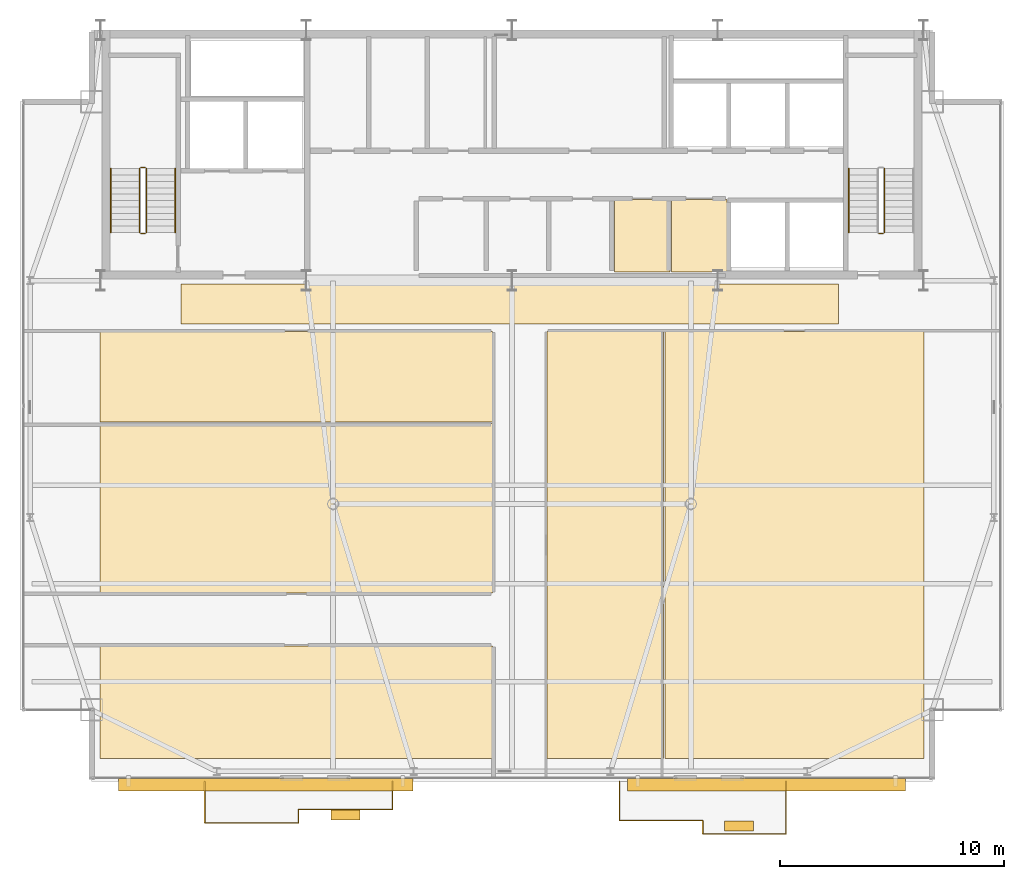
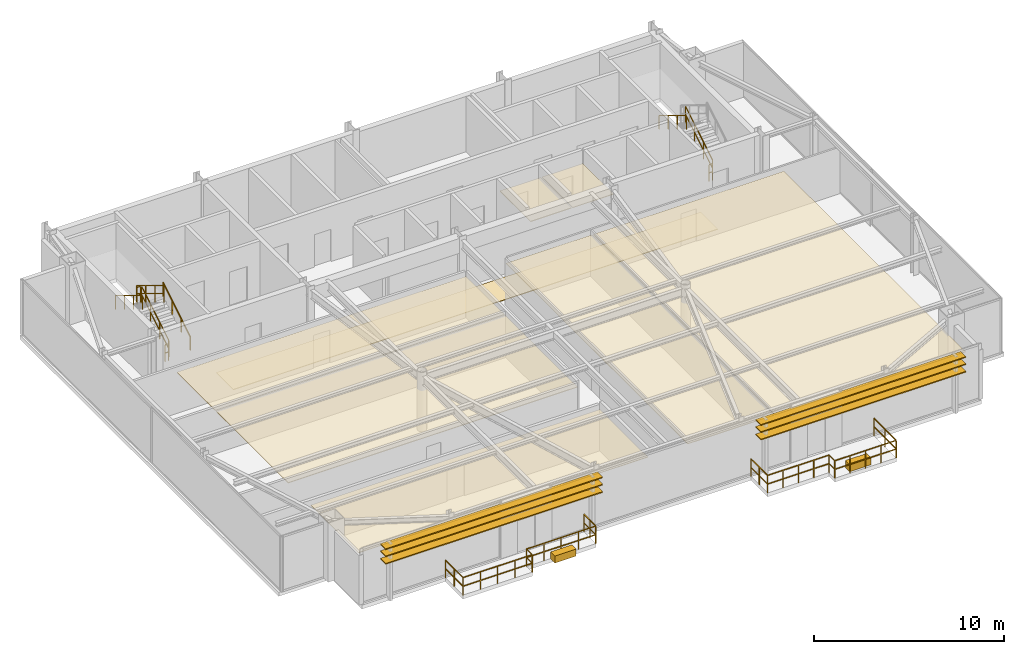
# One storey, part 22 of 23: 19 railings, 10 coverings, 6 shading devices.
"""IFC4 building model written with IfcOpenShell, lengths in metres."""

from ifc_helpers import new_model, si_unit, direction, frame, origin, origin_2d, place, context, subcontext, project, spatial, polyline, rectangle, outline, extrude, source, transform, mapped, material, layer, layer_set, type_object, type_shapes, element, save


model = new_model("IFC4")

# Units and contexts
model_context = context("Model", 3, precision=1e-05, world=origin(), true_north=direction((0.0, 1.0)))
body_context = subcontext(model_context, "Body", "Model", "MODEL_VIEW")
ifc_project = project(units=[si_unit("LENGTHUNIT", "METRE"), si_unit("AREAUNIT", "SQUARE_METRE"), si_unit("VOLUMEUNIT", "CUBIC_METRE"), si_unit("PLANEANGLEUNIT", "RADIAN"), si_unit("MASSUNIT", "GRAM", prefix="KILO")], contexts=[model_context])

# Site, building, storey
site_placement = place(None, origin())
site = spatial("IfcSite", under=ifc_project, at=site_placement, CompositionType="ELEMENT")
building_placement = place(site_placement, origin())
building = spatial("IfcBuilding", under=site, at=building_placement, Name="Varnel Quay Broadcast Tower", CompositionType="ELEMENT")
storey_placement = place(building_placement, frame((0.0, 0.0, 266.0)))
storey = spatial("IfcBuildingStorey", under=building, at=storey_placement, Name="L66", CompositionType="ELEMENT", Elevation=266.0)

# Coverings
ifc_material_1 = material(Name="Micro-Perforated Acoustic Ceiling Tile")
ifc_layer_1 = layer(ifc_material_1, 0.0400390625, Name="Micro-Perforated Acoustic Ceiling Tile")
ifc_layer_set_1 = layer_set([ifc_layer_1], Name="Micro-Perforated Acoustic Ceiling Tile")
covering_type_1 = type_object("IfcCoveringType", Name="Cov_AcousticCeiling", PredefinedType="CEILING", material=ifc_layer_set_1)
covering_1_placement = place(storey_placement, frame((0.0, 0.0, 2.580078125)))
element("IfcCovering", 1, at=covering_1_placement, inside=storey, type_object=covering_type_1, Name="L66 Cleaners' & Linen Store Acoustic Ceiling", PredefinedType="CEILING", context=body_context, shape_type="SweptSolid", body=[
    extrude(outline(polyline([(38.5849609375, 35.985107421875), (41.06494140625, 35.985107421875), (41.06494140625, 39.215087890625), (38.5849609375, 39.215087890625), (38.5849609375, 35.985107421875)])), origin(), (0.0, 0.0, 1.0), 0.0400390625),
])
covering_2_placement = place(storey_placement, frame((0.0, 0.0, 2.580078125)))
element("IfcCovering", 2, at=covering_2_placement, inside=storey, type_object=covering_type_1, Name="L66 Telecom IDF Closet Acoustic Ceiling", PredefinedType="CEILING", context=body_context, shape_type="SweptSolid", body=[
    extrude(outline(polyline([(41.135009765625, 35.985107421875), (43.614990234375, 35.985107421875), (43.614990234375, 39.215087890625), (41.135009765625, 39.215087890625), (41.135009765625, 35.985107421875)])), origin(), (0.0, 0.0, 1.0), 0.0400390625),
])
covering_3_placement = place(storey_placement, frame((0.0, 0.0, 2.580078125)))
element("IfcCovering", 3, at=covering_3_placement, inside=storey, type_object=covering_type_1, Name="L66 Editorial Boardroom 1 Acoustic Ceiling", PredefinedType="CEILING", context=body_context, shape_type="SweptSolid", body=[
    extrude(outline(polyline([(15.5849609375, 14.22509765625), (33.135009765625, 14.22509765625), (33.135009765625, 19.2548828125), (15.5849609375, 19.2548828125), (15.5849609375, 14.22509765625)])), origin(), (0.0, 0.0, 1.0), 0.0400390625),
])
covering_4_placement = place(storey_placement, frame((0.0, 0.0, 2.580078125)))
element("IfcCovering", 4, at=covering_4_placement, inside=storey, type_object=covering_type_1, Name="L66 Break Kitchen 2 Acoustic Ceiling", PredefinedType="CEILING", context=body_context, shape_type="SweptSolid", body=[
    extrude(outline(polyline([(15.5849609375, 21.625), (33.135009765625, 21.625), (33.135009765625, 29.215087890625), (15.5849609375, 29.215087890625), (15.5849609375, 21.625)])), origin(), (0.0, 0.0, 1.0), 0.0400390625),
])
covering_5_placement = place(storey_placement, frame((0.0, 0.0, 2.580078125)))
element("IfcCovering", 5, at=covering_5_placement, inside=storey, type_object=covering_type_1, Name="L66 Press Green Lounge 3 Acoustic Ceiling", PredefinedType="CEILING", context=body_context, shape_type="SweptSolid", body=[
    extrude(outline(polyline([(15.5849609375, 29.284912109375), (33.135009765625, 29.284912109375), (33.135009765625, 33.31494140625), (15.5849609375, 33.31494140625), (15.5849609375, 29.284912109375)])), origin(), (0.0, 0.0, 1.0), 0.0400390625),
])
covering_6_placement = place(storey_placement, frame((0.0, 0.0, 2.580078125)))
element("IfcCovering", 6, at=covering_6_placement, inside=storey, type_object=covering_type_1, Name="L66 Camera Locker Store 4 Acoustic Ceiling", PredefinedType="CEILING", context=body_context, shape_type="SweptSolid", body=[
    extrude(outline(polyline([(35.554931640625, 14.22509765625), (40.77490234375, 14.22509765625), (40.77490234375, 33.31494140625), (35.554931640625, 33.31494140625), (35.554931640625, 14.22509765625)])), origin(), (0.0, 0.0, 1.0), 0.0400390625),
])
covering_7_placement = place(storey_placement, frame((0.0, 0.0, 2.580078125)))
element("IfcCovering", 7, at=covering_7_placement, inside=storey, type_object=covering_type_1, Name="L66 Broadcast Newsroom 5 Acoustic Ceiling", PredefinedType="CEILING", context=body_context, shape_type="SweptSolid", body=[
    extrude(outline(polyline([(40.844970703125, 14.22509765625), (52.4150390625, 14.22509765625), (52.4150390625, 33.31494140625), (40.844970703125, 33.31494140625), (40.844970703125, 14.22509765625)])), origin(), (0.0, 0.0, 1.0), 0.0400390625),
])
ifc_material_2 = material(Name="Polished Terrazzo & Broadcast Raised Flooring")
ifc_layer_2 = layer(ifc_material_2, 0.0400390625, Name="Polished Terrazzo & Broadcast Raised Flooring")
ifc_layer_set_2 = layer_set([ifc_layer_2], Name="Polished Terrazzo & Broadcast Raised Flooring")
covering_type_2 = type_object("IfcCoveringType", Name="Cov_TerrazzoFloor", PredefinedType="FLOORING", material=ifc_layer_set_2)
covering_8_placement = place(storey_placement, origin())
element("IfcCovering", 8, at=covering_8_placement, inside=storey, type_object=covering_type_2, Name="L66 Corridor Terrazzo Flooring", PredefinedType="FLOORING", context=body_context, shape_type="SweptSolid", body=[
    extrude(outline(polyline([(19.199951171875, 33.64990234375), (48.60009765625, 33.64990234375), (48.60009765625, 35.449951171875), (19.199951171875, 35.449951171875), (19.199951171875, 33.64990234375)])), origin(), (0.0, 0.0, 1.0), 0.0400390625),
])

# Railings
ifc_material_3 = material(Name="Anodised Bronze Aluminium 6063-T6", Category="aluminium")
railing_type_1 = type_object("IfcRailingType", Name="Rail_Balustrade1150", PredefinedType="BALUSTRADE", material=ifc_material_3)
railing_1_placement = place(storey_placement, frame((20.260009765625, 11.347900390625, 0.0)))
element("IfcRailing", 9, at=railing_1_placement, inside=storey, type_object=railing_type_1, Name="L66 Terrace 1 Guard 1", PredefinedType="BALUSTRADE", context=body_context, shape_type="SweptSolid", body=[
    extrude(rectangle(XDim=0.048095703125, YDim=0.048095703125, at=origin_2d()), frame((0.0, 0.0, 1.1259765625), z_axis=(1.0, 0.0, 0.0), x_axis=(0.0, 1.0, 0.0)), (0.0, 0.0, 1.0), 4.199951171875),
    extrude(rectangle(XDim=0.048095703125, YDim=0.048095703125, at=origin_2d()), frame((0.0, 0.0, 0.574951171875), z_axis=(1.0, 0.0, 0.0), x_axis=(0.0, 1.0, 0.0)), (0.0, 0.0, 1.0), 4.199951171875),
    extrude(rectangle(XDim=0.0419921875, YDim=0.0419921875, at=origin_2d()), origin(), (0.0, 0.0, 1.0), 1.101806640625),
    extrude(rectangle(XDim=0.0419921875, YDim=0.0419921875, at=origin_2d()), frame((1.050048828125, 0.0, 0.0)), (0.0, 0.0, 1.0), 1.101806640625),
    extrude(rectangle(XDim=0.0419921875, YDim=0.0419921875, at=origin_2d()), frame((2.10009765625, 0.0, 0.0)), (0.0, 0.0, 1.0), 1.101806640625),
    extrude(rectangle(XDim=0.0419921875, YDim=0.0419921875, at=origin_2d()), frame((3.14990234375, 0.0, 0.0)), (0.0, 0.0, 1.0), 1.101806640625),
    extrude(rectangle(XDim=0.0419921875, YDim=0.0419921875, at=origin_2d()), frame((4.199951171875, 0.0, 0.0)), (0.0, 0.0, 1.0), 1.101806640625),
])
railing_2_placement = place(storey_placement, frame((24.4599609375, 11.347900390625, 0.0)))
element("IfcRailing", 10, at=railing_2_placement, inside=storey, type_object=railing_type_1, Name="L66 Terrace 1 Guard 2", PredefinedType="BALUSTRADE", context=body_context, shape_type="SweptSolid", body=[
    extrude(rectangle(XDim=0.048095703125, YDim=0.048095703125, at=origin_2d()), frame((0.0, 0.0, 1.1259765625), z_axis=(0.0, 1.0, 0.0), x_axis=(-1.0, 0.0, 0.0)), (0.0, 0.0, 1.0), 0.60009765625),
    extrude(rectangle(XDim=0.048095703125, YDim=0.048095703125, at=origin_2d()), frame((0.0, 0.0, 0.574951171875), z_axis=(0.0, 1.0, 0.0), x_axis=(-1.0, 0.0, 0.0)), (0.0, 0.0, 1.0), 0.60009765625),
    extrude(rectangle(XDim=0.0419921875, YDim=0.0419921875, at=origin_2d()), origin(), (0.0, 0.0, 1.0), 1.101806640625),
    extrude(rectangle(XDim=0.0419921875, YDim=0.0419921875, at=origin_2d()), frame((0.0, 0.60009765625, 0.0)), (0.0, 0.0, 1.0), 1.101806640625),
])
railing_3_placement = place(storey_placement, frame((24.4599609375, 11.947998046875, 0.0)))
element("IfcRailing", 11, at=railing_3_placement, inside=storey, type_object=railing_type_1, Name="L66 Terrace 1 Guard 3", PredefinedType="BALUSTRADE", context=body_context, shape_type="SweptSolid", body=[
    extrude(rectangle(XDim=0.048095703125, YDim=0.048095703125, at=origin_2d()), frame((0.0, 0.0, 1.1259765625), z_axis=(1.0, 0.0, 0.0), x_axis=(0.0, 1.0, 0.0)), (0.0, 0.0, 1.0), 4.199951171875),
    extrude(rectangle(XDim=0.048095703125, YDim=0.048095703125, at=origin_2d()), frame((0.0, 0.0, 0.574951171875), z_axis=(1.0, 0.0, 0.0), x_axis=(0.0, 1.0, 0.0)), (0.0, 0.0, 1.0), 4.199951171875),
    extrude(rectangle(XDim=0.0419921875, YDim=0.0419921875, at=origin_2d()), origin(), (0.0, 0.0, 1.0), 1.101806640625),
    extrude(rectangle(XDim=0.0419921875, YDim=0.0419921875, at=origin_2d()), frame((1.050048828125, 0.0, 0.0)), (0.0, 0.0, 1.0), 1.101806640625),
    extrude(rectangle(XDim=0.0419921875, YDim=0.0419921875, at=origin_2d()), frame((2.10009765625, 0.0, 0.0)), (0.0, 0.0, 1.0), 1.101806640625),
    extrude(rectangle(XDim=0.0419921875, YDim=0.0419921875, at=origin_2d()), frame((3.14990234375, 0.0, 0.0)), (0.0, 0.0, 1.0), 1.101806640625),
    extrude(rectangle(XDim=0.0419921875, YDim=0.0419921875, at=origin_2d()), frame((4.199951171875, 0.0, 0.0)), (0.0, 0.0, 1.0), 1.101806640625),
])
railing_4_placement = place(storey_placement, frame((28.659912109375, 11.947998046875, 0.0)))
element("IfcRailing", 12, at=railing_4_placement, inside=storey, type_object=railing_type_1, Name="L66 Terrace 1 Guard 4", PredefinedType="BALUSTRADE", context=body_context, shape_type="SweptSolid", body=[
    extrude(rectangle(XDim=0.048095703125, YDim=0.048095703125, at=origin_2d()), frame((0.0, 0.0, 1.1259765625), z_axis=(0.0, 1.0, 0.0), x_axis=(-1.0, 0.0, 0.0)), (0.0, 0.0, 1.0), 1.251953125),
    extrude(rectangle(XDim=0.048095703125, YDim=0.048095703125, at=origin_2d()), frame((0.0, 0.0, 0.574951171875), z_axis=(0.0, 1.0, 0.0), x_axis=(-1.0, 0.0, 0.0)), (0.0, 0.0, 1.0), 1.251953125),
    extrude(rectangle(XDim=0.0419921875, YDim=0.0419921875, at=origin_2d()), origin(), (0.0, 0.0, 1.0), 1.101806640625),
    extrude(rectangle(XDim=0.0419921875, YDim=0.0419921875, at=origin_2d()), frame((0.0, 0.6259765625, 0.0)), (0.0, 0.0, 1.0), 1.101806640625),
    extrude(rectangle(XDim=0.0419921875, YDim=0.0419921875, at=origin_2d()), frame((0.0, 1.251953125, 0.0)), (0.0, 0.0, 1.0), 1.101806640625),
])
railing_5_placement = place(storey_placement, frame((20.260009765625, 13.199951171875, 0.0)))
element("IfcRailing", 13, at=railing_5_placement, inside=storey, type_object=railing_type_1, Name="L66 Terrace 1 Guard 6", PredefinedType="BALUSTRADE", context=body_context, shape_type="SweptSolid", body=[
    extrude(rectangle(XDim=0.048095703125, YDim=0.048095703125, at=origin_2d()), frame((0.0, 0.0, 1.1259765625), z_axis=(0.0, -1.0, 0.0), x_axis=(1.0, 0.0, 0.0)), (0.0, 0.0, 1.0), 1.85205078125),
    extrude(rectangle(XDim=0.048095703125, YDim=0.048095703125, at=origin_2d()), frame((0.0, 0.0, 0.574951171875), z_axis=(0.0, -1.0, 0.0), x_axis=(1.0, 0.0, 0.0)), (0.0, 0.0, 1.0), 1.85205078125),
    extrude(rectangle(XDim=0.0419921875, YDim=0.0419921875, at=origin_2d()), origin(), (0.0, 0.0, 1.0), 1.101806640625),
    extrude(rectangle(XDim=0.0419921875, YDim=0.0419921875, at=origin_2d()), frame((0.0, -0.926025390625, 0.0)), (0.0, 0.0, 1.0), 1.101806640625),
    extrude(rectangle(XDim=0.0419921875, YDim=0.0419921875, at=origin_2d()), frame((0.0, -1.85205078125, 0.0)), (0.0, 0.0, 1.0), 1.101806640625),
])
railing_6_placement = place(storey_placement, frame((38.800048828125, 11.451904296875, 0.0)))
element("IfcRailing", 14, at=railing_6_placement, inside=storey, type_object=railing_type_1, Name="L66 Terrace 2 Guard 1", PredefinedType="BALUSTRADE", context=body_context, shape_type="SweptSolid", body=[
    extrude(rectangle(XDim=0.048095703125, YDim=0.048095703125, at=origin_2d()), frame((0.0, 0.0, 1.1259765625), z_axis=(1.0, 0.0, 0.0), x_axis=(0.0, 1.0, 0.0)), (0.0, 0.0, 1.0), 3.72998046875),
    extrude(rectangle(XDim=0.048095703125, YDim=0.048095703125, at=origin_2d()), frame((0.0, 0.0, 0.574951171875), z_axis=(1.0, 0.0, 0.0), x_axis=(0.0, 1.0, 0.0)), (0.0, 0.0, 1.0), 3.72998046875),
    extrude(rectangle(XDim=0.0419921875, YDim=0.0419921875, at=origin_2d()), origin(), (0.0, 0.0, 1.0), 1.101806640625),
    extrude(rectangle(XDim=0.0419921875, YDim=0.0419921875, at=origin_2d()), frame((0.9326171875, 0.0, 0.0)), (0.0, 0.0, 1.0), 1.101806640625),
    extrude(rectangle(XDim=0.0419921875, YDim=0.0419921875, at=origin_2d()), frame((1.864990234375, 0.0, 0.0)), (0.0, 0.0, 1.0), 1.101806640625),
    extrude(rectangle(XDim=0.0419921875, YDim=0.0419921875, at=origin_2d()), frame((2.79736328125, 0.0, 0.0)), (0.0, 0.0, 1.0), 1.101806640625),
    extrude(rectangle(XDim=0.0419921875, YDim=0.0419921875, at=origin_2d()), frame((3.72998046875, 0.0, 0.0)), (0.0, 0.0, 1.0), 1.101806640625),
])
railing_7_placement = place(storey_placement, frame((42.530029296875, 11.451904296875, 0.0)))
element("IfcRailing", 15, at=railing_7_placement, inside=storey, type_object=railing_type_1, Name="L66 Terrace 2 Guard 2", PredefinedType="BALUSTRADE", context=body_context, shape_type="SweptSolid", body=[
    extrude(rectangle(XDim=0.048095703125, YDim=0.048095703125, at=origin_2d()), frame((0.0, 0.0, 1.1259765625), z_axis=(0.0, -1.0, 0.0), x_axis=(1.0, 0.0, 0.0)), (0.0, 0.0, 1.0), 0.599853515625),
    extrude(rectangle(XDim=0.048095703125, YDim=0.048095703125, at=origin_2d()), frame((0.0, 0.0, 0.574951171875), z_axis=(0.0, -1.0, 0.0), x_axis=(1.0, 0.0, 0.0)), (0.0, 0.0, 1.0), 0.599853515625),
    extrude(rectangle(XDim=0.0419921875, YDim=0.0419921875, at=origin_2d()), origin(), (0.0, 0.0, 1.0), 1.101806640625),
    extrude(rectangle(XDim=0.0419921875, YDim=0.0419921875, at=origin_2d()), frame((0.0, -0.599853515625, 0.0)), (0.0, 0.0, 1.0), 1.101806640625),
])
railing_8_placement = place(storey_placement, frame((42.530029296875, 10.85205078125, 0.0)))
element("IfcRailing", 16, at=railing_8_placement, inside=storey, type_object=railing_type_1, Name="L66 Terrace 2 Guard 3", PredefinedType="BALUSTRADE", context=body_context, shape_type="SweptSolid", body=[
    extrude(rectangle(XDim=0.048095703125, YDim=0.048095703125, at=origin_2d()), frame((0.0, 0.0, 1.1259765625), z_axis=(1.0, 0.0, 0.0), x_axis=(0.0, 1.0, 0.0)), (0.0, 0.0, 1.0), 3.72998046875),
    extrude(rectangle(XDim=0.048095703125, YDim=0.048095703125, at=origin_2d()), frame((0.0, 0.0, 0.574951171875), z_axis=(1.0, 0.0, 0.0), x_axis=(0.0, 1.0, 0.0)), (0.0, 0.0, 1.0), 3.72998046875),
    extrude(rectangle(XDim=0.0419921875, YDim=0.0419921875, at=origin_2d()), origin(), (0.0, 0.0, 1.0), 1.101806640625),
    extrude(rectangle(XDim=0.0419921875, YDim=0.0419921875, at=origin_2d()), frame((0.9326171875, 0.0, 0.0)), (0.0, 0.0, 1.0), 1.101806640625),
    extrude(rectangle(XDim=0.0419921875, YDim=0.0419921875, at=origin_2d()), frame((1.864990234375, 0.0, 0.0)), (0.0, 0.0, 1.0), 1.101806640625),
    extrude(rectangle(XDim=0.0419921875, YDim=0.0419921875, at=origin_2d()), frame((2.79736328125, 0.0, 0.0)), (0.0, 0.0, 1.0), 1.101806640625),
    extrude(rectangle(XDim=0.0419921875, YDim=0.0419921875, at=origin_2d()), frame((3.72998046875, 0.0, 0.0)), (0.0, 0.0, 1.0), 1.101806640625),
])
railing_9_placement = place(storey_placement, frame((46.260009765625, 10.85205078125, 0.0)))
element("IfcRailing", 17, at=railing_9_placement, inside=storey, type_object=railing_type_1, Name="L66 Terrace 2 Guard 4", PredefinedType="BALUSTRADE", context=body_context, shape_type="SweptSolid", body=[
    extrude(rectangle(XDim=0.048095703125, YDim=0.048095703125, at=origin_2d()), frame((0.0, 0.0, 1.1259765625), z_axis=(0.0, 1.0, 0.0), x_axis=(-1.0, 0.0, 0.0)), (0.0, 0.0, 1.0), 2.347900390625),
    extrude(rectangle(XDim=0.048095703125, YDim=0.048095703125, at=origin_2d()), frame((0.0, 0.0, 0.574951171875), z_axis=(0.0, 1.0, 0.0), x_axis=(-1.0, 0.0, 0.0)), (0.0, 0.0, 1.0), 2.347900390625),
    extrude(rectangle(XDim=0.0419921875, YDim=0.0419921875, at=origin_2d()), origin(), (0.0, 0.0, 1.0), 1.101806640625),
    extrude(rectangle(XDim=0.0419921875, YDim=0.0419921875, at=origin_2d()), frame((0.0, 1.173828125, 0.0)), (0.0, 0.0, 1.0), 1.101806640625),
    extrude(rectangle(XDim=0.0419921875, YDim=0.0419921875, at=origin_2d()), frame((0.0, 2.347900390625, 0.0)), (0.0, 0.0, 1.0), 1.101806640625),
])
railing_10_placement = place(storey_placement, frame((38.800048828125, 13.199951171875, 0.0)))
element("IfcRailing", 18, at=railing_10_placement, inside=storey, type_object=railing_type_1, Name="L66 Terrace 2 Guard 6", PredefinedType="BALUSTRADE", context=body_context, shape_type="SweptSolid", body=[
    extrude(rectangle(XDim=0.048095703125, YDim=0.048095703125, at=origin_2d()), frame((0.0, 0.0, 1.1259765625), z_axis=(0.0, -1.0, 0.0), x_axis=(1.0, 0.0, 0.0)), (0.0, 0.0, 1.0), 1.748046875),
    extrude(rectangle(XDim=0.048095703125, YDim=0.048095703125, at=origin_2d()), frame((0.0, 0.0, 0.574951171875), z_axis=(0.0, -1.0, 0.0), x_axis=(1.0, 0.0, 0.0)), (0.0, 0.0, 1.0), 1.748046875),
    extrude(rectangle(XDim=0.0419921875, YDim=0.0419921875, at=origin_2d()), origin(), (0.0, 0.0, 1.0), 1.101806640625),
    extrude(rectangle(XDim=0.0419921875, YDim=0.0419921875, at=origin_2d()), frame((0.0, -0.8740234375, 0.0)), (0.0, 0.0, 1.0), 1.101806640625),
    extrude(rectangle(XDim=0.0419921875, YDim=0.0419921875, at=origin_2d()), frame((0.0, -1.748046875, 0.0)), (0.0, 0.0, 1.0), 1.101806640625),
])
ifc_material_4 = material(Name="Painted Steel Guard and Handrail CSA G40.21 350W", Category="steel")
railing_type_2 = type_object("IfcRailingType", Name="Rail_StairGuard1100", PredefinedType="GUARDRAIL", material=ifc_material_4)
railing_11_placement = place(storey_placement, frame((17.64990234375, 37.75, 0.172607421875)))
element("IfcRailing", 19, at=railing_11_placement, inside=storey, type_object=railing_type_2, Name="L66 ST-01 stair guard 1", PredefinedType="GUARDRAIL", context=body_context, shape_type="SweptSolid", body=[
    extrude(rectangle(XDim=0.048095703125, YDim=0.048095703125, at=origin_2d()), frame((0.0, 0.0, 1.076171875), z_axis=(0.0, 0.855202751398, 0.518293598264), x_axis=(-1.0, 0.0, 0.0)), (0.0, 0.0, 1.0), 3.332763671875),
    extrude(rectangle(XDim=0.048095703125, YDim=0.048095703125, at=origin_2d()), frame((0.0, 0.0, 0.550048828125), z_axis=(0.0, 0.855202751398, 0.518293598264), x_axis=(-1.0, 0.0, 0.0)), (0.0, 0.0, 1.0), 3.332763671875),
    extrude(rectangle(XDim=0.0419921875, YDim=0.0419921875, at=origin_2d()), origin(), (0.0, 0.0, 1.0), 1.052001953125),
    extrude(rectangle(XDim=0.0419921875, YDim=0.0419921875, at=origin_2d()), frame((0.0, 0.949951171875, 0.57568359375)), (0.0, 0.0, 1.0), 1.052001953125),
    extrude(rectangle(XDim=0.0419921875, YDim=0.0419921875, at=origin_2d()), frame((0.0, 1.900146484375, 1.151611328125)), (0.0, 0.0, 1.0), 1.052001953125),
    extrude(rectangle(XDim=0.0419921875, YDim=0.0419921875, at=origin_2d()), frame((0.0, 2.85009765625, 1.727294921875)), (0.0, 0.0, 1.0), 1.052001953125),
])
railing_12_placement = place(storey_placement, frame((17.60009765625, 40.64990234375, 1.89990234375)))
element("IfcRailing", 20, at=railing_12_placement, inside=storey, type_object=railing_type_2, Name="L66 ST-01 stair guard 2", PredefinedType="GUARDRAIL", context=body_context, shape_type="SweptSolid", body=[
    extrude(rectangle(XDim=0.048095703125, YDim=0.048095703125, at=origin_2d()), frame((0.0, 0.0, 1.076171875), z_axis=(-1.0, 0.0, 0.0), x_axis=(0.0, -1.0, 0.0)), (0.0, 0.0, 1.0), 0.2001953125),
    extrude(rectangle(XDim=0.048095703125, YDim=0.048095703125, at=origin_2d()), frame((0.0, 0.0, 0.550048828125), z_axis=(-1.0, 0.0, 0.0), x_axis=(0.0, -1.0, 0.0)), (0.0, 0.0, 1.0), 0.2001953125),
    extrude(rectangle(XDim=0.0419921875, YDim=0.0419921875, at=origin_2d()), origin(), (0.0, 0.0, 1.0), 1.052001953125),
    extrude(rectangle(XDim=0.0419921875, YDim=0.0419921875, at=origin_2d()), frame((-0.2001953125, 0.0, 0.0)), (0.0, 0.0, 1.0), 1.052001953125),
])
railing_13_placement = place(storey_placement, frame((17.35009765625, 40.60009765625, 2.07275390625)))
element("IfcRailing", 21, at=railing_13_placement, inside=storey, type_object=railing_type_2, Name="L66 ST-01 stair guard 3", PredefinedType="GUARDRAIL", context=body_context, shape_type="SweptSolid", body=[
    extrude(rectangle(XDim=0.048095703125, YDim=0.048095703125, at=origin_2d()), frame((0.0, 0.0, 1.076171875), z_axis=(0.0, -0.855202751398, 0.518293598264), x_axis=(1.0, 0.0, 0.0)), (0.0, 0.0, 1.0), 3.332763671875),
    extrude(rectangle(XDim=0.048095703125, YDim=0.048095703125, at=origin_2d()), frame((0.0, 0.0, 0.550048828125), z_axis=(0.0, -0.855202751398, 0.518293598264), x_axis=(1.0, 0.0, 0.0)), (0.0, 0.0, 1.0), 3.332763671875),
    extrude(rectangle(XDim=0.0419921875, YDim=0.0419921875, at=origin_2d()), origin(), (0.0, 0.0, 1.0), 1.052001953125),
    extrude(rectangle(XDim=0.0419921875, YDim=0.0419921875, at=origin_2d()), frame((0.0, -0.949951171875, 0.57568359375)), (0.0, 0.0, 1.0), 1.052001953125),
    extrude(rectangle(XDim=0.0419921875, YDim=0.0419921875, at=origin_2d()), frame((0.0, -1.900146484375, 1.151611328125)), (0.0, 0.0, 1.0), 1.052001953125),
    extrude(rectangle(XDim=0.0419921875, YDim=0.0419921875, at=origin_2d()), frame((0.0, -2.85009765625, 1.727294921875)), (0.0, 0.0, 1.0), 1.052001953125),
])
railing_14_placement = place(storey_placement, frame((17.60009765625, 37.699951171875, 0.0)))
element("IfcRailing", 22, at=railing_14_placement, inside=storey, type_object=railing_type_2, Name="L66 ST-01 stair guard 4", PredefinedType="GUARDRAIL", context=body_context, shape_type="SweptSolid", body=[
    extrude(rectangle(XDim=0.048095703125, YDim=0.048095703125, at=origin_2d()), frame((0.0, 0.0, 1.076171875), z_axis=(-1.0, 0.0, 0.0), x_axis=(0.0, -1.0, 0.0)), (0.0, 0.0, 1.0), 0.2001953125),
    extrude(rectangle(XDim=0.048095703125, YDim=0.048095703125, at=origin_2d()), frame((0.0, 0.0, 0.550048828125), z_axis=(-1.0, 0.0, 0.0), x_axis=(0.0, -1.0, 0.0)), (0.0, 0.0, 1.0), 0.2001953125),
    extrude(rectangle(XDim=0.0419921875, YDim=0.0419921875, at=origin_2d()), origin(), (0.0, 0.0, 1.0), 1.052001953125),
    extrude(rectangle(XDim=0.0419921875, YDim=0.0419921875, at=origin_2d()), frame((-0.2001953125, 0.0, 0.0)), (0.0, 0.0, 1.0), 1.052001953125),
])
railing_15_placement = place(storey_placement, frame((50.64990234375, 37.75, 0.172607421875)))
element("IfcRailing", 23, at=railing_15_placement, inside=storey, type_object=railing_type_2, Name="L66 ST-02 stair guard 1", PredefinedType="GUARDRAIL", context=body_context, shape_type="SweptSolid", body=[
    extrude(rectangle(XDim=0.048095703125, YDim=0.048095703125, at=origin_2d()), frame((0.0, 0.0, 1.076171875), z_axis=(0.0, 0.855202751398, 0.518293598264), x_axis=(-1.0, 0.0, 0.0)), (0.0, 0.0, 1.0), 3.332763671875),
    extrude(rectangle(XDim=0.048095703125, YDim=0.048095703125, at=origin_2d()), frame((0.0, 0.0, 0.550048828125), z_axis=(0.0, 0.855202751398, 0.518293598264), x_axis=(-1.0, 0.0, 0.0)), (0.0, 0.0, 1.0), 3.332763671875),
    extrude(rectangle(XDim=0.0419921875, YDim=0.0419921875, at=origin_2d()), origin(), (0.0, 0.0, 1.0), 1.052001953125),
    extrude(rectangle(XDim=0.0419921875, YDim=0.0419921875, at=origin_2d()), frame((0.0, 0.949951171875, 0.57568359375)), (0.0, 0.0, 1.0), 1.052001953125),
    extrude(rectangle(XDim=0.0419921875, YDim=0.0419921875, at=origin_2d()), frame((0.0, 1.900146484375, 1.151611328125)), (0.0, 0.0, 1.0), 1.052001953125),
    extrude(rectangle(XDim=0.0419921875, YDim=0.0419921875, at=origin_2d()), frame((0.0, 2.85009765625, 1.727294921875)), (0.0, 0.0, 1.0), 1.052001953125),
])
railing_16_placement = place(storey_placement, frame((50.60009765625, 37.699951171875, 0.0)))
element("IfcRailing", 24, at=railing_16_placement, inside=storey, type_object=railing_type_2, Name="L66 ST-02 stair guard 4", PredefinedType="GUARDRAIL", context=body_context, shape_type="SweptSolid", body=[
    extrude(rectangle(XDim=0.048095703125, YDim=0.048095703125, at=origin_2d()), frame((0.0, 0.0, 1.076171875), z_axis=(-1.0, 0.0, 0.0), x_axis=(0.0, -1.0, 0.0)), (0.0, 0.0, 1.0), 0.2001953125),
    extrude(rectangle(XDim=0.048095703125, YDim=0.048095703125, at=origin_2d()), frame((0.0, 0.0, 0.550048828125), z_axis=(-1.0, 0.0, 0.0), x_axis=(0.0, -1.0, 0.0)), (0.0, 0.0, 1.0), 0.2001953125),
    extrude(rectangle(XDim=0.0419921875, YDim=0.0419921875, at=origin_2d()), origin(), (0.0, 0.0, 1.0), 1.052001953125),
    extrude(rectangle(XDim=0.0419921875, YDim=0.0419921875, at=origin_2d()), frame((-0.2001953125, 0.0, 0.0)), (0.0, 0.0, 1.0), 1.052001953125),
])
railing_type_3 = type_object("IfcRailingType", Name="Rail_StairHandrail900", PredefinedType="HANDRAIL", material=ifc_material_4)
railing_17_placement = place(storey_placement, frame((18.949951171875, 37.75, 0.172607421875)))
element("IfcRailing", 25, at=railing_17_placement, inside=storey, type_object=railing_type_3, Name="L66 ST-01 stair handrail 1", PredefinedType="HANDRAIL", context=body_context, shape_type="SweptSolid", body=[
    extrude(rectangle(XDim=0.048095703125, YDim=0.048095703125, at=origin_2d()), frame((0.0, 0.0, 0.8759765625), z_axis=(0.0, 0.855202751398, 0.518293598264), x_axis=(-1.0, 0.0, 0.0)), (0.0, 0.0, 1.0), 3.332763671875),
    extrude(rectangle(XDim=0.0419921875, YDim=0.0419921875, at=origin_2d()), origin(), (0.0, 0.0, 1.0), 0.851806640625),
    extrude(rectangle(XDim=0.0419921875, YDim=0.0419921875, at=origin_2d()), frame((0.0, 0.949951171875, 0.57568359375)), (0.0, 0.0, 1.0), 0.851806640625),
    extrude(rectangle(XDim=0.0419921875, YDim=0.0419921875, at=origin_2d()), frame((0.0, 1.900146484375, 1.151611328125)), (0.0, 0.0, 1.0), 0.851806640625),
    extrude(rectangle(XDim=0.0419921875, YDim=0.0419921875, at=origin_2d()), frame((0.0, 2.85009765625, 1.727294921875)), (0.0, 0.0, 1.0), 0.851806640625),
])
for number, where, name in (
    (26, (16.050048828125, 40.60009765625, 2.07275390625), "L66 ST-01 stair handrail 2"),
    (27, (49.050048828125, 40.60009765625, 2.07275390625), "L66 ST-02 stair handrail 2"),
):
    element("IfcRailing", number, at=place(storey_placement, frame(where)), inside=storey, type_object=railing_type_3, Name=name, PredefinedType="HANDRAIL", context=body_context, shape_type="SweptSolid", body=[
        extrude(rectangle(XDim=0.048095703125, YDim=0.048095703125, at=origin_2d()), frame((0.0, 0.0, 0.8759765625), z_axis=(0.0, -0.855202751398, 0.518293598264), x_axis=(1.0, 0.0, 0.0)), (0.0, 0.0, 1.0), 3.332763671875),
        extrude(rectangle(XDim=0.0419921875, YDim=0.0419921875, at=origin_2d()), origin(), (0.0, 0.0, 1.0), 0.851806640625),
        extrude(rectangle(XDim=0.0419921875, YDim=0.0419921875, at=origin_2d()), frame((0.0, -0.949951171875, 0.57568359375)), (0.0, 0.0, 1.0), 0.851806640625),
        extrude(rectangle(XDim=0.0419921875, YDim=0.0419921875, at=origin_2d()), frame((0.0, -1.900146484375, 1.151611328125)), (0.0, 0.0, 1.0), 0.851806640625),
        extrude(rectangle(XDim=0.0419921875, YDim=0.0419921875, at=origin_2d()), frame((0.0, -2.85009765625, 1.727294921875)), (0.0, 0.0, 1.0), 0.851806640625),
    ])

# Coverings
ifc_material_5 = material(Name="Bronze-Terracotta Extruded Ceramic Blade", Category="masonry")
ifc_layer_3 = layer(ifc_material_5, 0.449951171875, Name="Bronze-Terracotta Extruded Ceramic Blade")
ifc_layer_set_3 = layer_set([ifc_layer_3], Name="Bronze-Terracotta Extruded Ceramic Blade")
covering_type_3 = type_object("IfcCoveringType", Name="Cov_BronzePlanter", PredefinedType="CLADDING", material=ifc_layer_set_3)
shared_shape_1 = source(origin(), body_context, "Body", "SweptSolid", [
    extrude(rectangle(XDim=1.300048828125, YDim=0.449951171875, at=origin_2d()), origin(), (0.0, 0.0, 1.0), 0.449951171875),
])
type_shapes(covering_type_3, [shared_shape_1])
for number, where, z_axis, x_axis, name in (
    (28, (26.550048828125, 11.697998046875, 0.0), (0.0, 0.0, 1.0), (1.0, 0.0, 0.0), "L66 Terrace 1 Bronze Planter"),
    (29, (44.14990234375, 11.201904296875, 0.0), (0.0, 0.0, 1.0), (1.0, 0.0, 0.0), "L66 Terrace 2 Bronze Planter"),
):
    element("IfcCovering", number, at=place(storey_placement, frame(where, z_axis=z_axis, x_axis=x_axis)), inside=storey, type_object=covering_type_3, Name=name, PredefinedType="CLADDING", context=body_context, shape_type="MappedRepresentation", body=[
        mapped(shared_shape_1, transform((0.0, 0.0, 0.0), x_axis=(1.0, 0.0, 0.0), y_axis=(0.0, 1.0, 0.0), z_axis=(0.0, 0.0, 1.0), scale=1.0)),
    ])

# Shading devices
ifc_layer_4 = layer(ifc_material_5, 0.06494140625, Name="Bronze-Terracotta Extruded Ceramic Blade")
ifc_layer_set_4 = layer_set([ifc_layer_4], Name="Bronze-Terracotta Extruded Ceramic Blade")
shading_device_type = type_object("IfcShadingDeviceType", Name="Shade_LouvreBlade550", PredefinedType="JALOUSIE", material=ifc_layer_set_4)
shared_shape_2 = source(origin(), body_context, "Body", "SweptSolid", [
    extrude(rectangle(XDim=12.43408203125, YDim=0.550048828125, at=origin_2d()), origin(), (0.0, 0.0, 1.0), 0.06494140625),
])
for number, where, z_axis, x_axis, name in (
    (30, (45.383056640625, 13.06005859375, 2.447509765625), (0.0, 0.0, 1.0), (1.0, 0.0, 0.0), "L66 Lobe 2 Horizontal Louvre Blade 1"),
    (31, (45.383056640625, 13.06005859375, 2.927490234375), (0.0, 0.0, 1.0), (1.0, 0.0, 0.0), "L66 Lobe 2 Horizontal Louvre Blade 2"),
    (32, (45.383056640625, 13.06005859375, 3.387451171875), (0.0, 0.0, 1.0), (1.0, 0.0, 0.0), "L66 Lobe 2 Horizontal Louvre Blade 3"),
):
    element("IfcShadingDevice", number, at=place(storey_placement, frame(where, z_axis=z_axis, x_axis=x_axis)), inside=storey, type_object=shading_device_type, Name=name, PredefinedType="JALOUSIE", context=body_context, shape_type="MappedRepresentation", body=[
        mapped(shared_shape_2, transform((0.0, 0.0, 0.0), x_axis=(1.0, 0.0, 0.0), y_axis=(0.0, 1.0, 0.0), z_axis=(0.0, 0.0, 1.0), scale=1.0)),
    ])
shared_shape_3 = source(origin(), body_context, "Body", "SweptSolid", [
    extrude(rectangle(XDim=13.166015625, YDim=0.550048828125, at=origin_2d()), origin(), (0.0, 0.0, 1.0), 0.06494140625),
])
type_shapes(shading_device_type, [shared_shape_2, shared_shape_3])
for number, where, z_axis, x_axis, name in (
    (33, (22.98291015625, 13.06005859375, 2.447509765625), (0.0, 0.0, 1.0), (1.0, 0.0, 0.0), "L66 Lobe 1 Horizontal Louvre Blade 1"),
    (34, (22.98291015625, 13.06005859375, 2.927490234375), (0.0, 0.0, 1.0), (1.0, 0.0, 0.0), "L66 Lobe 1 Horizontal Louvre Blade 2"),
    (35, (22.98291015625, 13.06005859375, 3.387451171875), (0.0, 0.0, 1.0), (1.0, 0.0, 0.0), "L66 Lobe 1 Horizontal Louvre Blade 3"),
):
    element("IfcShadingDevice", number, at=place(storey_placement, frame(where, z_axis=z_axis, x_axis=x_axis)), inside=storey, type_object=shading_device_type, Name=name, PredefinedType="JALOUSIE", context=body_context, shape_type="MappedRepresentation", body=[
        mapped(shared_shape_3, transform((0.0, 0.0, 0.0), x_axis=(1.0, 0.0, 0.0), y_axis=(0.0, 1.0, 0.0), z_axis=(0.0, 0.0, 1.0), scale=1.0)),
    ])

save(model, "model.ifc")
